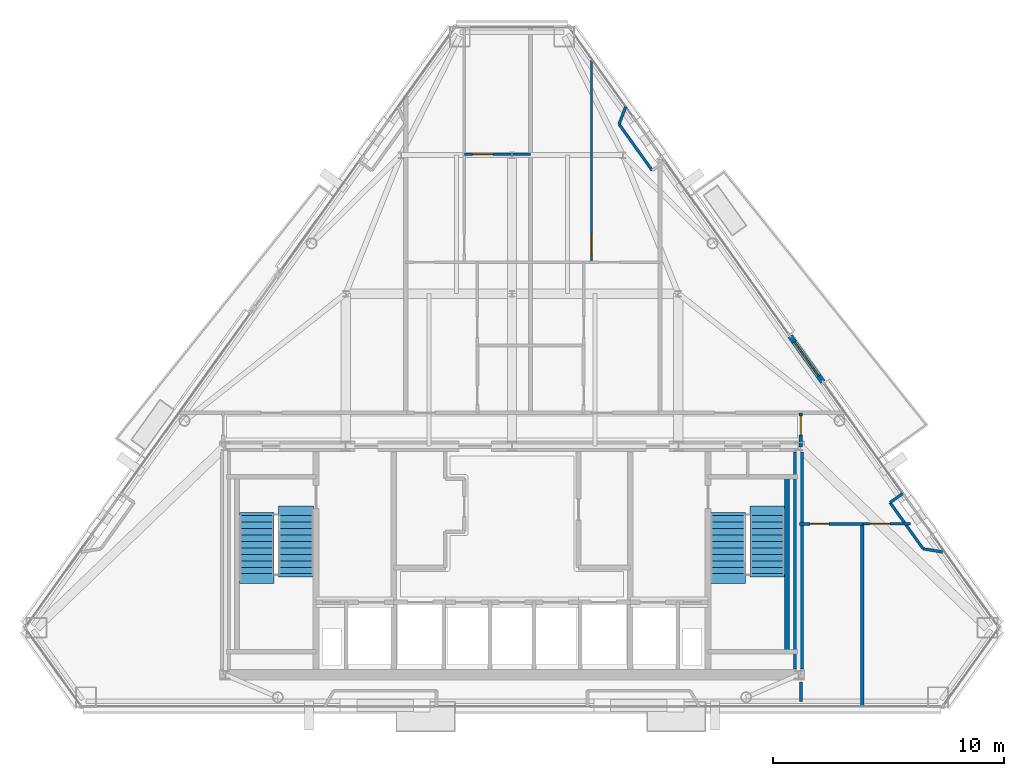
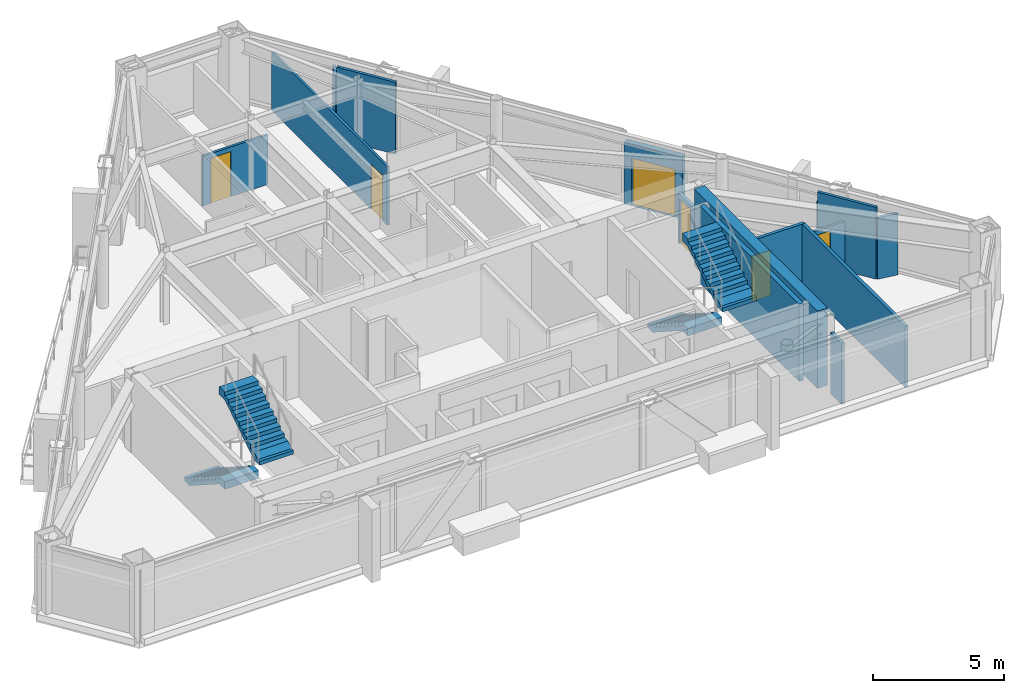
# One storey, part 10 of 12: 15 walls, 6 doors, 4 stair flights, 6 openings, 2 elements without a shape of their own.
"""IFC4 building model written with IfcOpenShell, lengths in metres."""

from ifc_helpers import new_model, si_unit, direction, frame, frame_2d, origin, place, context, subcontext, project, spatial, polyline, rectangle, outline, extrude, material, layer, layer_set, type_object, element, fill, aggregate, save


model = new_model("IFC4")

# Units and contexts
model_context = context("Model", 3, precision=1e-05, world=origin(), true_north=direction((0.0, 1.0)))
body_context = subcontext(model_context, "Body", "Model", "MODEL_VIEW")
ifc_project = project(units=[si_unit("LENGTHUNIT", "METRE"), si_unit("AREAUNIT", "SQUARE_METRE"), si_unit("VOLUMEUNIT", "CUBIC_METRE"), si_unit("PLANEANGLEUNIT", "RADIAN"), si_unit("MASSUNIT", "GRAM", prefix="KILO")], contexts=[model_context])

# Site, building, storey
site_placement = place(None, origin())
site = spatial("IfcSite", under=ifc_project, at=site_placement, CompositionType="ELEMENT")
building_placement = place(site_placement, origin())
building = spatial("IfcBuilding", under=site, at=building_placement, Name="Talgorran Terracotta Tower", CompositionType="ELEMENT")
storey_placement = place(building_placement, frame((0.0, 0.0, 256.199951171875)))
storey = spatial("IfcBuildingStorey", under=building, at=storey_placement, Name="L67", CompositionType="ELEMENT", Elevation=256.199951171875)

# Wall, opening, door
ifc_material_1 = material(Name="Concrete C40/50", Category="concrete")
ifc_layer_1 = layer(ifc_material_1, 0.239990234375, Name="WT_BALCONY_SPAND")
ifc_layer_set_1 = layer_set([ifc_layer_1], Name="Concrete C40/50")
wall_type_1 = type_object("IfcWallType", Name="WT_BALCONY_SPAND", PredefinedType="STANDARD", material=ifc_layer_set_1)
wall_1_placement = place(storey_placement, frame((13.458251953125, -1.417236328125, -0.014892578125), z_axis=(0.0, 0.0, 1.0), x_axis=(-0.582146480264, 0.813083928949, 0.0)))
wall_1 = element("IfcWall", 1, at=wall_1_placement, inside=storey, type_object=wall_type_1, Name="WL-L67-BALP-BAL-NE", PredefinedType="STANDARD", context=body_context, shape_type="SweptSolid", body=[
    extrude(rectangle(XDim=2.43994140625, YDim=0.239990234375, at=frame_2d((1.219970703125, 0.0))), origin(), (0.0, 0.0, 1.0), 2.8779296875),
])
opening_1_placement = place(wall_1_placement, frame((0.320068359375, 0.0, 0.014892578125)))
opening_1 = element("IfcOpeningElement", 2, at=opening_1_placement, cuts=wall_1, Name="Opening D-BAL-L67-1", PredefinedType="OPENING", context=body_context, shape_type="SweptSolid", body=[
    extrude(rectangle(XDim=1.806048828125, YDim=2.203951171875, at=frame_2d((0.89990234375, 1.10205078125))), frame((0.0, 0.1298828125, 0.0), z_axis=(0.0, -1.0, 0.0), x_axis=(1.0, 0.0, 0.0)), (0.0, 0.0, 1.0), 0.260009765625),
])
ifc_material_2 = material(Name="Thermally Broken Aluminium", Category="aluminium")
door_type_1 = type_object("IfcDoorType", Name="DT_BALC_1800", OperationType="SLIDING_TO_LEFT", PredefinedType="DOOR", material=ifc_material_2)
door_1_placement = place(opening_1_placement, origin())
door_1 = element("IfcDoor", 3, at=door_1_placement, inside=storey, type_object=door_type_1, Name="DR-L67-BAL-BAL-NE", OperationType="SLIDING_TO_LEFT", OverallHeight=2.199951171875, OverallWidth=1.800048828125, PredefinedType="DOOR", context=body_context, shape_type="SweptSolid", body=[
    extrude(rectangle(XDim=1.800048828125, YDim=2.199951171875, at=frame_2d((0.89990234375, 1.10009765625))), frame((0.0, 0.02490234375, 0.0), z_axis=(0.0, -1.0, 0.0), x_axis=(1.0, 0.0, 0.0)), (0.0, 0.0, 1.0), 0.050048828125),
])
fill(opening_1, door_1)

# Walls
ifc_material_3 = material(Name="Concrete C50/60", Category="concrete")
ifc_layer_2 = layer(ifc_material_3, 0.199951171875, Name="WT_CORE_200")
ifc_layer_set_2 = layer_set([ifc_layer_2], Name="Concrete C50/60")
wall_type_2 = type_object("IfcWallType", Name="WT_CORE_200", PredefinedType="SOLIDWALL", material=ifc_layer_set_2)
wall_2_placement = place(storey_placement, frame((11.89990234375, -13.10009765625, 0.0), z_axis=(0.0, 0.0, 1.0), x_axis=(0.0, 1.0, 0.0)))
element("IfcWall", 4, at=wall_2_placement, inside=storey, type_object=wall_type_2, Name="WL-L67-CW-ST2-E", PredefinedType="SOLIDWALL", context=body_context, shape_type="SweptSolid", body=[
    extrude(rectangle(XDim=7.580078125, YDim=0.199951171875, at=frame_2d((3.7900390625, 0.0))), origin(), (0.0, 0.0, 1.0), 3.60009765625),
])
ifc_material_4 = material(Name="Concrete C65/80", Category="concrete")
ifc_layer_3 = layer(ifc_material_4, 0.449951171875, Name="WT_CORE_EXT")
ifc_layer_set_3 = layer_set([ifc_layer_3], Name="Concrete C65/80")
wall_type_3 = type_object("IfcWallType", Name="WT_CORE_EXT", PredefinedType="SHEAR", material=ifc_layer_set_3)
wall_3_placement = place(storey_placement, frame((12.39990234375, -13.85009765625, 0.0), z_axis=(0.0, 0.0, 1.0), x_axis=(0.0, 1.0, 0.0)))
element("IfcWall", 5, at=wall_3_placement, inside=storey, type_object=wall_type_3, Name="WL-L67-CW-OUT-E", PredefinedType="SHEAR", context=body_context, shape_type="SweptSolid", body=[
    extrude(rectangle(XDim=9.400146484375, YDim=0.449951171875, at=frame_2d((4.7001953125, 0.0))), origin(), (0.0, 0.0, 1.0), 3.60009765625),
])

# Wall, opening, door
ifc_material_5 = material(Name="Fire-Rated Steel Stud Plasterboard", Category="steel")
ifc_layer_4 = layer(ifc_material_5, 0.14990234375, Name="WT_FIRE_150")
ifc_layer_set_4 = layer_set([ifc_layer_4], Name="Fire-Rated Steel Stud Plasterboard")
wall_type_4 = type_object("IfcWallType", Name="WT_FIRE_150", PredefinedType="PARTITIONING", material=ifc_layer_set_4)
wall_4_placement = place(storey_placement, frame((12.5, -4.239990234375, 0.0), z_axis=(0.0, 0.0, 1.0), x_axis=(0.0, 1.0, 0.0)))
wall_4 = element("IfcWall", 6, at=wall_4_placement, inside=storey, type_object=wall_type_4, Name="WL-L67-W-L67-R02", PredefinedType="PARTITIONING", context=body_context, shape_type="SweptSolid", body=[
    extrude(rectangle(XDim=1.47998046875, YDim=0.14990234375, at=frame_2d((0.739990234375, 0.0))), origin(), (0.0, 0.0, 1.0), 2.320068359375),
])
opening_2_placement = place(wall_4_placement, frame((0.521728515625, 0.0, 0.0)))
opening_2 = element("IfcOpeningElement", 7, at=opening_2_placement, cuts=wall_4, Name="Opening DR-L67-R02", PredefinedType="OPENING", context=body_context, shape_type="SweptSolid", body=[
    extrude(rectangle(XDim=0.826068359375, YDim=2.10409765625, at=frame_2d((0.41015625, 1.052001953125))), frame((0.0, 0.0849609375, 0.0), z_axis=(0.0, -1.0, 0.0), x_axis=(1.0, 0.0, 0.0)), (0.0, 0.0, 1.0), 0.169921875),
])
ifc_material_6 = material(Name="Moisture-Resistant Solid Timber", Category="wood")
door_type_2 = type_object("IfcDoorType", Name="DT_INT_820", OperationType="NOTDEFINED", PredefinedType="DOOR", material=ifc_material_6)
door_2_placement = place(opening_2_placement, origin())
door_2 = element("IfcDoor", 8, at=door_2_placement, inside=storey, type_object=door_type_2, Name="DR-L67-R02", OperationType="SINGLE_SWING_RIGHT", OverallHeight=2.10009765625, OverallWidth=0.820068359375, PredefinedType="DOOR", context=body_context, shape_type="SweptSolid", body=[
    extrude(rectangle(XDim=0.820068359375, YDim=2.10009765625, at=frame_2d((0.41015625, 1.050048828125))), frame((0.0, 0.02490234375, 0.0), z_axis=(0.0, -1.0, 0.0), x_axis=(1.0, 0.0, 0.0)), (0.0, 0.0, 1.0), 0.050048828125),
])
fill(opening_2, door_2)

ifc_material_7 = material(Name="Lightweight Steel Stud Partition", Category="steel")
ifc_layer_5 = layer(ifc_material_7, 0.10498046875, Name="WT_PART_110")
ifc_layer_set_5 = layer_set([ifc_layer_5], Name="Lightweight Steel Stud Partition")
wall_type_5 = type_object("IfcWallType", Name="WT_PART_110", PredefinedType="PARTITIONING", material=ifc_layer_set_5)
wall_5_placement = place(storey_placement, frame((3.43994140625, 3.760009765625, 0.0), z_axis=(0.0, 0.0, 1.0), x_axis=(0.0, 1.0, 0.0)))
wall_5 = element("IfcWall", 9, at=wall_5_placement, inside=storey, type_object=wall_type_5, Name="WL-L67-W-L67-R34", PredefinedType="PARTITIONING", context=body_context, shape_type="SweptSolid", body=[
    extrude(rectangle(XDim=8.813232421875, YDim=0.10498046875, at=frame_2d((4.40673828125, 0.0))), origin(), (0.0, 0.0, 1.0), 2.718017578125),
])
opening_3_placement = place(wall_5_placement, frame((0.35986328125, 0.0, 0.0)))
opening_3 = element("IfcOpeningElement", 10, at=opening_3_placement, cuts=wall_5, Name="Opening DR-L67-R15", PredefinedType="OPENING", context=body_context, shape_type="SweptSolid", body=[
    extrude(rectangle(XDim=0.8858828125, YDim=2.10409765625, at=frame_2d((0.43994140625, 1.052001953125))), frame((0.0, 0.0625, 0.0), z_axis=(0.0, -1.0, 0.0), x_axis=(1.0, 0.0, 0.0)), (0.0, 0.0, 1.0), 0.125),
])
ifc_material_8 = material(Name="Solid-Core Painted Timber", Category="wood")
door_type_3 = type_object("IfcDoorType", Name="DT_INT_880", OperationType="NOTDEFINED", PredefinedType="DOOR", material=ifc_material_8)
door_3_placement = place(opening_3_placement, origin())
door_3 = element("IfcDoor", 11, at=door_3_placement, inside=storey, type_object=door_type_3, Name="DR-L67-R15", OperationType="SINGLE_SWING_LEFT", OverallHeight=2.10009765625, OverallWidth=0.8798828125, PredefinedType="DOOR", context=body_context, shape_type="SweptSolid", body=[
    extrude(rectangle(XDim=0.8798828125, YDim=2.10009765625, at=frame_2d((0.43994140625, 1.050048828125))), frame((0.0, 0.02490234375, 0.0), z_axis=(0.0, -1.0, 0.0), x_axis=(1.0, 0.0, 0.0)), (0.0, 0.0, 1.0), 0.050048828125),
])
fill(opening_3, door_3)

wall_6_placement = place(storey_placement, frame((-2.06005859375, 8.43994140625, 0.0), z_axis=(0.0, 0.0, 1.0), x_axis=(1.0, 0.0, 0.0)))
wall_6 = element("IfcWall", 12, at=wall_6_placement, inside=storey, type_object=wall_type_5, Name="WL-L67-W-L67-R24", PredefinedType="PARTITIONING", context=body_context, shape_type="SweptSolid", body=[
    extrude(rectangle(XDim=2.860107421875, YDim=0.10498046875, at=frame_2d((1.43017578125, 0.0))), origin(), (0.0, 0.0, 1.0), 2.320068359375),
])
opening_4_placement = place(wall_6_placement, frame((0.357421875, 0.0, 0.0)))
opening_4 = element("IfcOpeningElement", 13, at=opening_4_placement, cuts=wall_6, Name="Opening DR-L67-R11", PredefinedType="OPENING", context=body_context, shape_type="SweptSolid", body=[
    extrude(rectangle(XDim=0.8858828125, YDim=2.10409765625, at=frame_2d((0.43994140625, 1.052001953125))), frame((0.0, 0.0625, 0.0), z_axis=(0.0, -1.0, 0.0), x_axis=(1.0, 0.0, 0.0)), (0.0, 0.0, 1.0), 0.125),
])
door_4_placement = place(opening_4_placement, origin())
door_4 = element("IfcDoor", 14, at=door_4_placement, inside=storey, type_object=door_type_3, Name="DR-L67-R11", OperationType="SINGLE_SWING_LEFT", OverallHeight=2.10009765625, OverallWidth=0.8798828125, PredefinedType="DOOR", context=body_context, shape_type="SweptSolid", body=[
    extrude(rectangle(XDim=0.8798828125, YDim=2.10009765625, at=frame_2d((0.43994140625, 1.050048828125))), frame((0.0, 0.02490234375, 0.0), z_axis=(0.0, -1.0, 0.0), x_axis=(1.0, 0.0, 0.0)), (0.0, 0.0, 1.0), 0.050048828125),
])
fill(opening_4, door_4)

wall_7_placement = place(storey_placement, frame((15.201904296875, -7.56005859375, 0.0), z_axis=(0.0, 0.0, 1.0), x_axis=(1.0, 0.0, 0.0)))
wall_7 = element("IfcWall", 15, at=wall_7_placement, inside=storey, type_object=wall_type_5, Name="WL-L67-W-L67-R10", PredefinedType="PARTITIONING", context=body_context, shape_type="SweptSolid", body=[
    extrude(rectangle(XDim=2.0380859375, YDim=0.10498046875, at=frame_2d((1.01904296875, 0.0))), origin(), (0.0, 0.0, 1.0), 2.320068359375),
])
opening_5_placement = place(wall_7_placement, frame((0.271240234375, 0.0, 0.0)))
opening_5 = element("IfcOpeningElement", 16, at=opening_5_placement, cuts=wall_7, Name="Opening DR-L67-R04", PredefinedType="OPENING", context=body_context, shape_type="SweptSolid", body=[
    extrude(rectangle(XDim=0.8858828125, YDim=2.10409765625, at=frame_2d((0.43994140625, 1.052001953125))), frame((0.0, 0.0625, 0.0), z_axis=(0.0, -1.0, 0.0), x_axis=(1.0, 0.0, 0.0)), (0.0, 0.0, 1.0), 0.125),
])
door_5_placement = place(opening_5_placement, origin())
door_5 = element("IfcDoor", 17, at=door_5_placement, inside=storey, type_object=door_type_3, Name="DR-L67-R04", OperationType="SINGLE_SWING_RIGHT", OverallHeight=2.10009765625, OverallWidth=0.8798828125, PredefinedType="DOOR", context=body_context, shape_type="SweptSolid", body=[
    extrude(rectangle(XDim=0.8798828125, YDim=2.10009765625, at=frame_2d((0.43994140625, 1.050048828125))), frame((0.0, 0.02490234375, 0.0), z_axis=(0.0, -1.0, 0.0), x_axis=(1.0, 0.0, 0.0)), (0.0, 0.0, 1.0), 0.050048828125),
])
fill(opening_5, door_5)

# Walls
ifc_material_9 = material(Name="Insulated Steel Stud Plasterboard", Category="steel")
ifc_layer_6 = layer(ifc_material_9, 0.1201171875, Name="WT_PART_120")
ifc_layer_set_6 = layer_set([ifc_layer_6], Name="Insulated Steel Stud Plasterboard")
wall_type_6 = type_object("IfcWallType", Name="WT_PART_120", PredefinedType="PARTITIONING", material=ifc_layer_set_6)
for number, where, z_axis, x_axis, name in (
    (18, (17.795166015625, -8.641357421875, 0.0), (0.0, 0.0, 1.0), (-0.582204312634, 0.813042519399, 0.0), "WL-L67-BW-L67-12"),
    (19, (6.068115234375, 7.735107421875, 0.0), (0.0, 0.0, 1.0), (-0.582204312634, 0.813042519399, 0.0), "WL-L67-BW-L67-17"),
):
    element("IfcWall", number, at=place(storey_placement, frame(where, z_axis=z_axis, x_axis=x_axis)), inside=storey, type_object=wall_type_6, Name=name, PredefinedType="PARTITIONING", context=body_context, shape_type="SweptSolid", body=[
        extrude(rectangle(XDim=2.461181640625, YDim=0.1201171875, at=frame_2d((1.23046875, 0.0))), origin(), (0.0, 0.0, 1.0), 3.344970703125),
    ])
wall_8_placement = place(storey_placement, frame((18.633544921875, -8.77783203125, 0.0), z_axis=(0.0, 0.0, 1.0), x_axis=(-0.987008329949, 0.160669090402, 0.0)))
element("IfcWall", 20, at=wall_8_placement, inside=storey, type_object=wall_type_6, Name="WL-L67-BW-L67-11", PredefinedType="PARTITIONING", context=body_context, shape_type="SweptSolid", body=[
    extrude(rectangle(XDim=0.849365234375, YDim=0.1201171875, at=frame_2d((0.4248046875, 0.0))), origin(), (0.0, 0.0, 1.0), 2.863037109375),
])
wall_9_placement = place(storey_placement, frame((4.63525390625, 9.736083984375, 0.0), z_axis=(0.0, 0.0, 1.0), x_axis=(0.353913607056, 0.935278118391, 0.0)))
element("IfcWall", 21, at=wall_9_placement, inside=storey, type_object=wall_type_6, Name="WL-L67-BW-L67-18", PredefinedType="PARTITIONING", context=body_context, shape_type="SweptSolid", body=[
    extrude(rectangle(XDim=0.804931640625, YDim=0.1201171875, at=frame_2d((0.40234375, 0.0))), origin(), (0.0, 0.0, 1.0), 2.863037109375),
])
wall_10_placement = place(storey_placement, frame((16.3623046875, -6.640380859375, 0.0), z_axis=(0.0, 0.0, 1.0), x_axis=(0.813142011208, 0.582065348229, 0.0)))
element("IfcWall", 22, at=wall_10_placement, inside=storey, type_object=wall_type_6, Name="WL-L67-BW-L67-10", PredefinedType="PARTITIONING", context=body_context, shape_type="SweptSolid", body=[
    extrude(rectangle(XDim=0.669921875, YDim=0.1201171875, at=frame_2d((0.3349609375, 0.0))), origin(), (0.0, 0.0, 1.0), 2.863037109375),
])
ifc_material_10 = material(Name="Moisture-Resistant Stud Wall")
ifc_layer_7 = layer(ifc_material_10, 0.135009765625, Name="WT_PART_135")
ifc_layer_set_7 = layer_set([ifc_layer_7], Name="Moisture-Resistant Stud Wall")
wall_type_7 = type_object("IfcWallType", Name="WT_PART_135", PredefinedType="PARTITIONING", material=ifc_layer_set_7)
wall_11_placement = place(storey_placement, frame((15.159912109375, -15.46337890625, 0.0), z_axis=(0.0, 0.0, 1.0), x_axis=(0.0, 1.0, 0.0)))
element("IfcWall", 23, at=wall_11_placement, inside=storey, type_object=wall_type_7, Name="WL-L67-W-L67-R11", PredefinedType="PARTITIONING", context=body_context, shape_type="SweptSolid", body=[
    extrude(rectangle(XDim=7.9033203125, YDim=0.135009765625, at=frame_2d((3.95166015625, 0.0))), origin(), (0.0, 0.0, 1.0), 2.863037109375),
])

# Wall, opening, door
wall_12_placement = place(storey_placement, frame((12.43994140625, -7.56005859375, 0.0), z_axis=(0.0, 0.0, 1.0), x_axis=(1.0, 0.0, 0.0)))
wall_12 = element("IfcWall", 24, at=wall_12_placement, inside=storey, type_object=wall_type_7, Name="WL-L67-W-L67-R09", PredefinedType="PARTITIONING", context=body_context, shape_type="SweptSolid", body=[
    extrude(rectangle(XDim=2.760009765625, YDim=0.135009765625, at=frame_2d((1.3798828125, 0.0))), origin(), (0.0, 0.0, 1.0), 2.863037109375),
])
opening_6_placement = place(wall_12_placement, frame((0.457763671875, 0.0, 0.0)))
opening_6 = element("IfcOpeningElement", 25, at=opening_6_placement, cuts=wall_12, Name="Opening DR-L67-R03", PredefinedType="OPENING", context=body_context, shape_type="SweptSolid", body=[
    extrude(rectangle(XDim=0.826068359375, YDim=2.10409765625, at=frame_2d((0.41015625, 1.052001953125))), frame((0.0, 0.07763671875, 0.0), z_axis=(0.0, -1.0, 0.0), x_axis=(1.0, 0.0, 0.0)), (0.0, 0.0, 1.0), 0.155029296875),
])
door_6_placement = place(opening_6_placement, origin())
door_6 = element("IfcDoor", 26, at=door_6_placement, inside=storey, type_object=door_type_2, Name="DR-L67-R03", OperationType="SINGLE_SWING_LEFT", OverallHeight=2.10009765625, OverallWidth=0.820068359375, PredefinedType="DOOR", context=body_context, shape_type="SweptSolid", body=[
    extrude(rectangle(XDim=0.820068359375, YDim=2.10009765625, at=frame_2d((0.41015625, 1.050048828125))), frame((0.0, 0.02490234375, 0.0), z_axis=(0.0, -1.0, 0.0), x_axis=(1.0, 0.0, 0.0)), (0.0, 0.0, 1.0), 0.050048828125),
])
fill(opening_6, door_6)

# Wall
wall_13_placement = place(storey_placement, frame((12.5, -15.243408203125, 0.0), z_axis=(0.0, 0.0, 1.0), x_axis=(0.0, 1.0, 0.0)))
element("IfcWall", 27, at=wall_13_placement, inside=storey, type_object=wall_type_7, Name="WL-L67-W-L67-R36", PredefinedType="PARTITIONING", context=body_context, shape_type="SweptSolid", body=[
    extrude(rectangle(XDim=0.843505859375, YDim=0.135009765625, at=frame_2d((0.421875, 0.0))), origin(), (0.0, 0.0, 1.0), 2.863037109375),
])

# Stair, stair flights
stair_type = type_object("IfcStairType", Name="ST_FIRE_SCISSOR", PredefinedType="HALF_TURN_STAIR", material=ifc_material_1)
stair_1_placement = place(storey_placement, origin())
stair_1 = element("IfcStair", 28, at=stair_1_placement, inside=storey, type_object=stair_type, Name="L67 West Protected Fire Stair ST-01", PredefinedType="HALF_TURN_STAIR")
ifc_layer_8 = layer(ifc_material_1, 0.179931640625, Name="STF_RC_1500")
ifc_layer_set_8 = layer_set([ifc_layer_8], Name="Concrete C40/50")
stair_flight_type = type_object("IfcStairFlightType", Name="STF_RC_1500", PredefinedType="STRAIGHT", material=ifc_layer_set_8)
stair_flight_1_placement = place(storey_placement, frame((-11.050048828125, -7.199951171875, 0.0), z_axis=(0.0, 0.0, 1.0), x_axis=(0.0, -1.0, 0.0)))
stair_flight_1 = element("IfcStairFlight", 29, at=stair_flight_1_placement, type_object=stair_flight_type, Name="ST-01 flight 1", NumberOfRisers=10, NumberOfTreads=9, PredefinedType="STRAIGHT", RiserHeight=0.18, TreadLength=0.28, context=body_context, shape_type="SweptSolid", body=[
    extrude(outline(polyline([(-0.139892578125, 0.0), (-0.139892578125, 0.179931640625), (0.0, 0.179931640625), (0.280029296875, 0.360107421875), (0.56005859375, 0.360107421875), (0.56005859375, 0.5400390625), (0.840087890625, 0.5400390625), (0.840087890625, 0.719970703125), (1.1201171875, 0.719970703125), (1.1201171875, 0.89990234375), (1.39990234375, 0.89990234375), (1.39990234375, 1.080078125), (1.679931640625, 1.080078125), (1.679931640625, 1.260009765625), (1.9599609375, 1.260009765625), (1.9599609375, 1.43994140625), (2.239990234375, 1.43994140625), (2.239990234375, 1.6201171875), (2.52001953125, 1.6201171875), (2.52001953125, 1.800048828125), (2.93994140625, 1.800048828125), (2.93994140625, 1.44189453125), (2.52001953125, 1.44189453125), (0.277099609375, 0.0), (-0.139892578125, 0.0)])), frame((0.0, 0.75, 0.0), z_axis=(0.0, -1.0, 0.0), x_axis=(1.0, 0.0, 0.0)), (0.0, 0.0, 1.0), 1.5),
])
stair_flight_2_placement = place(storey_placement, frame((-9.35009765625, -9.719970703125, 1.800048828125), z_axis=(0.0, 0.0, 1.0), x_axis=(0.0, 1.0, 0.0)))
stair_flight_2 = element("IfcStairFlight", 30, at=stair_flight_2_placement, type_object=stair_flight_type, Name="ST-01 flight 2", NumberOfRisers=10, NumberOfTreads=9, PredefinedType="STRAIGHT", RiserHeight=0.18, TreadLength=0.28, context=body_context, shape_type="SweptSolid", body=[
    extrude(outline(polyline([(-0.139892578125, 0.0), (-0.139892578125, 0.179931640625), (0.0, 0.179931640625), (0.280029296875, 0.360107421875), (0.56005859375, 0.360107421875), (0.56005859375, 0.5400390625), (0.840087890625, 0.5400390625), (0.840087890625, 0.719970703125), (1.1201171875, 0.719970703125), (1.1201171875, 0.89990234375), (1.39990234375, 0.89990234375), (1.39990234375, 1.080078125), (1.679931640625, 1.080078125), (1.679931640625, 1.260009765625), (1.9599609375, 1.260009765625), (1.9599609375, 1.43994140625), (2.239990234375, 1.43994140625), (2.239990234375, 1.6201171875), (2.52001953125, 1.6201171875), (2.52001953125, 1.800048828125), (2.93994140625, 1.800048828125), (2.93994140625, 1.44189453125), (2.52001953125, 1.44189453125), (0.277099609375, 0.0), (-0.139892578125, 0.0)])), frame((0.0, 0.75, 0.0), z_axis=(0.0, -1.0, 0.0), x_axis=(1.0, 0.0, 0.0)), (0.0, 0.0, 1.0), 1.5),
])
aggregate(stair_1, [stair_flight_1, stair_flight_2])

stair_2_placement = place(storey_placement, origin())
stair_2 = element("IfcStair", 31, at=stair_2_placement, inside=storey, type_object=stair_type, Name="L67 East Protected Fire Stair ST-02", PredefinedType="HALF_TURN_STAIR")
stair_flight_3_placement = place(storey_placement, frame((9.35009765625, -7.199951171875, 0.0), z_axis=(0.0, 0.0, 1.0), x_axis=(0.0, -1.0, 0.0)))
stair_flight_3 = element("IfcStairFlight", 32, at=stair_flight_3_placement, type_object=stair_flight_type, Name="ST-02 flight 1", NumberOfRisers=10, NumberOfTreads=9, PredefinedType="STRAIGHT", RiserHeight=0.18, TreadLength=0.28, context=body_context, shape_type="SweptSolid", body=[
    extrude(outline(polyline([(-0.139892578125, 0.0), (-0.139892578125, 0.179931640625), (0.0, 0.179931640625), (0.280029296875, 0.360107421875), (0.56005859375, 0.360107421875), (0.56005859375, 0.5400390625), (0.840087890625, 0.5400390625), (0.840087890625, 0.719970703125), (1.1201171875, 0.719970703125), (1.1201171875, 0.89990234375), (1.39990234375, 0.89990234375), (1.39990234375, 1.080078125), (1.679931640625, 1.080078125), (1.679931640625, 1.260009765625), (1.9599609375, 1.260009765625), (1.9599609375, 1.43994140625), (2.239990234375, 1.43994140625), (2.239990234375, 1.6201171875), (2.52001953125, 1.6201171875), (2.52001953125, 1.800048828125), (2.93994140625, 1.800048828125), (2.93994140625, 1.44189453125), (2.52001953125, 1.44189453125), (0.277099609375, 0.0), (-0.139892578125, 0.0)])), frame((0.0, 0.75, 0.0), z_axis=(0.0, -1.0, 0.0), x_axis=(1.0, 0.0, 0.0)), (0.0, 0.0, 1.0), 1.5),
])
stair_flight_4_placement = place(storey_placement, frame((11.050048828125, -9.719970703125, 1.800048828125), z_axis=(0.0, 0.0, 1.0), x_axis=(0.0, 1.0, 0.0)))
stair_flight_4 = element("IfcStairFlight", 33, at=stair_flight_4_placement, type_object=stair_flight_type, Name="ST-02 flight 2", NumberOfRisers=10, NumberOfTreads=9, PredefinedType="STRAIGHT", RiserHeight=0.18, TreadLength=0.28, context=body_context, shape_type="SweptSolid", body=[
    extrude(outline(polyline([(-0.139892578125, 0.0), (-0.139892578125, 0.179931640625), (0.0, 0.179931640625), (0.280029296875, 0.360107421875), (0.56005859375, 0.360107421875), (0.56005859375, 0.5400390625), (0.840087890625, 0.5400390625), (0.840087890625, 0.719970703125), (1.1201171875, 0.719970703125), (1.1201171875, 0.89990234375), (1.39990234375, 0.89990234375), (1.39990234375, 1.080078125), (1.679931640625, 1.080078125), (1.679931640625, 1.260009765625), (1.9599609375, 1.260009765625), (1.9599609375, 1.43994140625), (2.239990234375, 1.43994140625), (2.239990234375, 1.6201171875), (2.52001953125, 1.6201171875), (2.52001953125, 1.800048828125), (2.93994140625, 1.800048828125), (2.93994140625, 1.44189453125), (2.52001953125, 1.44189453125), (0.277099609375, 0.0), (-0.139892578125, 0.0)])), frame((0.0, 0.75, 0.0), z_axis=(0.0, -1.0, 0.0), x_axis=(1.0, 0.0, 0.0)), (0.0, 0.0, 1.0), 1.5),
])
aggregate(stair_2, [stair_flight_3, stair_flight_4])

save(model, "model.ifc")
